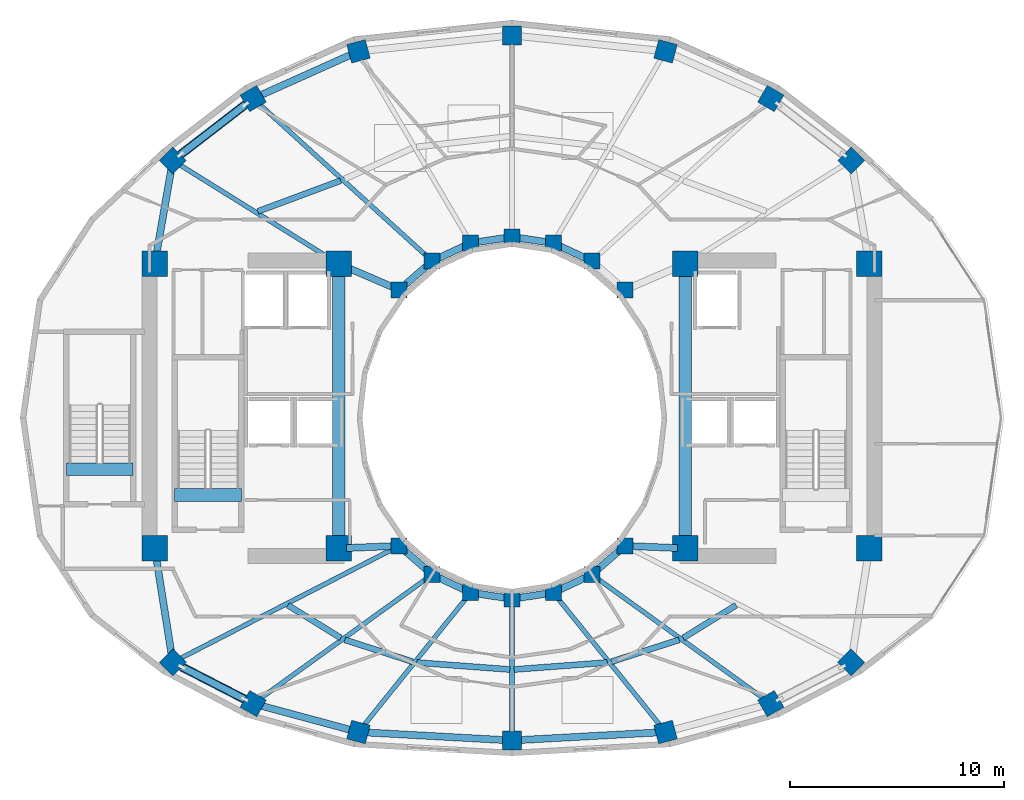
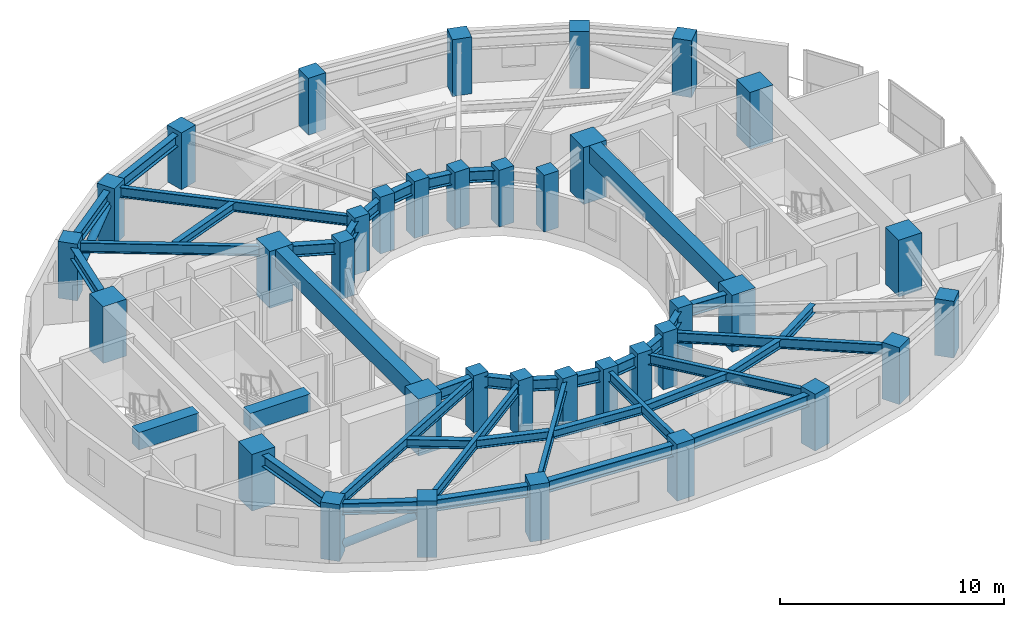
# One storey, part 1 of 13: 41 beams, 36 columns, 2 members.
"""IFC4 building model written with IfcOpenShell, lengths in metres."""

from ifc_helpers import new_model, si_unit, direction, frame, origin, origin_2d, place, context, subcontext, project, spatial, rectangle, hollow_circle, i_section, extrude, material, material_profile, profile_set, type_object, element, save


model = new_model("IFC4")

# Units and contexts
model_context = context("Model", 3, precision=1e-05, world=origin(), true_north=direction((0.0, 1.0)))
body_context = subcontext(model_context, "Body", "Model", "MODEL_VIEW")
ifc_project = project(units=[si_unit("LENGTHUNIT", "METRE"), si_unit("AREAUNIT", "SQUARE_METRE"), si_unit("VOLUMEUNIT", "CUBIC_METRE"), si_unit("PLANEANGLEUNIT", "RADIAN"), si_unit("MASSUNIT", "GRAM", prefix="KILO")], contexts=[model_context])

# Site, building, storey
site_placement = place(None, origin())
site = spatial("IfcSite", under=ifc_project, at=site_placement, CompositionType="ELEMENT")
building_placement = place(site_placement, origin())
building = spatial("IfcBuilding", under=site, at=building_placement, Name="Solvane Sanctuary Tower", CompositionType="ELEMENT")
storey_placement = place(building_placement, frame((0.0, 0.0, 152.89990234375)))
storey = spatial("IfcBuildingStorey", under=building, at=storey_placement, Name="L46", CompositionType="ELEMENT", Elevation=152.89990234375)

# Columns
ifc_material_1 = material(Name="Concrete C50/60", Category="concrete")
ifc_material_profile_1 = material_profile(ifc_material_1, rectangle(XDim=0.75, YDim=0.75, at=origin_2d()), Name="RC750X750")
ifc_profile_set_1 = profile_set([ifc_material_profile_1], Name="Concrete C50/60")
column_type_1 = type_object("IfcColumnType", Name="Column C-RING-Z3 RC750X750", PredefinedType="COLUMN", material=ifc_profile_set_1)
for number, where, z_axis, x_axis, name in (
    (1, (37.27490234375, 28.982177734375, 0.0), (0.0, 0.0, 1.0), (1.0, 0.0, 0.0), "L46 Inner Light-Well Ring Column IC01"),
    (2, (35.72998046875, 30.32666015625, 0.0), (0.0, 0.0, 1.0), (1.0, 0.0, 0.0), "L46 Inner Light-Well Ring Column IC02"),
    (3, (33.930908203125, 31.171630859375, 0.0), (0.0, 0.0, 1.0), (1.0, 0.0, 0.0), "L46 Inner Light-Well Ring Column IC03"),
    (4, (32.0, 31.4599609375, 0.0), (0.0, 0.0, 1.0), (1.0, 0.0, 0.0), "L46 Inner Light-Well Ring Column IC04"),
    (5, (30.069091796875, 31.171630859375, 0.0), (0.0, 0.0, 1.0), (1.0, 0.0, 0.0), "L46 Inner Light-Well Ring Column IC05"),
    (6, (28.27001953125, 30.32666015625, 0.0), (0.0, 0.0, 1.0), (1.0, 0.0, 0.0), "L46 Inner Light-Well Ring Column IC06"),
    (7, (26.72509765625, 28.982177734375, 0.0), (0.0, 0.0, 1.0), (1.0, 0.0, 0.0), "L46 Inner Light-Well Ring Column IC07"),
    (8, (26.72509765625, 17.017822265625, 0.0), (0.0, 0.0, 1.0), (1.0, 0.0, 0.0), "L46 Inner Light-Well Ring Column IC08"),
    (9, (28.27001953125, 15.67333984375, 0.0), (0.0, 0.0, 1.0), (1.0, 0.0, 0.0), "L46 Inner Light-Well Ring Column IC09"),
    (10, (30.069091796875, 14.828369140625, 0.0), (0.0, 0.0, 1.0), (1.0, 0.0, 0.0), "L46 Inner Light-Well Ring Column IC10"),
    (11, (32.0, 14.5400390625, 0.0), (0.0, 0.0, 1.0), (1.0, 0.0, 0.0), "L46 Inner Light-Well Ring Column IC11"),
    (12, (33.930908203125, 14.828369140625, 0.0), (0.0, 0.0, 1.0), (1.0, 0.0, 0.0), "L46 Inner Light-Well Ring Column IC12"),
    (13, (35.72998046875, 15.67333984375, 0.0), (0.0, 0.0, 1.0), (1.0, 0.0, 0.0), "L46 Inner Light-Well Ring Column IC13"),
    (14, (37.27490234375, 17.017822265625, 0.0), (0.0, 0.0, 1.0), (1.0, 0.0, 0.0), "L46 Inner Light-Well Ring Column IC14"),
):
    element("IfcColumn", number, at=place(storey_placement, frame(where, z_axis=z_axis, x_axis=x_axis)), inside=storey, type_object=column_type_1, Name=name, PredefinedType="COLUMN", context=body_context, shape_type="SweptSolid", body=[
        extrude(rectangle(XDim=0.75, YDim=0.75, at=origin_2d()), origin(), (0.0, 0.0, 1.0), 3.10009765625),
    ])
ifc_material_2 = material(Name="Concrete C70/85", Category="concrete")
ifc_material_profile_2 = material_profile(ifc_material_2, rectangle(XDim=1.199951171875, YDim=1.199951171875, at=origin_2d()), Name="RC1200X1200")
ifc_profile_set_2 = profile_set([ifc_material_profile_2], Name="Concrete C70/85")
column_type_2 = type_object("IfcColumnType", Name="Column C-TUBE-Z1 RC1200X1200", PredefinedType="COLUMN", material=ifc_profile_set_2)
for number, where, z_axis, x_axis, name in (
    (15, (15.300048828125, 16.89990234375, 0.0), (0.0, 0.0, 1.0), (1.0, 0.0, 0.0), "L46 Core Corner Column CW1"),
    (16, (23.89990234375, 16.89990234375, 0.0), (0.0, 0.0, 1.0), (1.0, 0.0, 0.0), "L46 Core Corner Column CW2"),
    (17, (23.89990234375, 30.199951171875, 0.0), (0.0, 0.0, 1.0), (1.0, 0.0, 0.0), "L46 Core Corner Column CW3"),
    (18, (15.300048828125, 30.199951171875, 0.0), (0.0, 0.0, 1.0), (1.0, 0.0, 0.0), "L46 Core Corner Column CW4"),
    (19, (40.10009765625, 16.89990234375, 0.0), (0.0, 0.0, 1.0), (1.0, 0.0, 0.0), "L46 Core Corner Column CE1"),
    (20, (48.699951171875, 16.89990234375, 0.0), (0.0, 0.0, 1.0), (1.0, 0.0, 0.0), "L46 Core Corner Column CE2"),
    (21, (48.699951171875, 30.199951171875, 0.0), (0.0, 0.0, 1.0), (1.0, 0.0, 0.0), "L46 Core Corner Column CE3"),
    (22, (40.10009765625, 30.199951171875, 0.0), (0.0, 0.0, 1.0), (1.0, 0.0, 0.0), "L46 Core Corner Column CE4"),
):
    element("IfcColumn", number, at=place(storey_placement, frame(where, z_axis=z_axis, x_axis=x_axis)), inside=storey, type_object=column_type_2, Name=name, PredefinedType="COLUMN", context=body_context, shape_type="SweptSolid", body=[
        extrude(rectangle(XDim=1.199951171875, YDim=1.199951171875, at=origin_2d()), origin(), (0.0, 0.0, 1.0), 3.10009765625),
    ])
ifc_material_3 = material(Name="Concrete C60/75", Category="concrete")
ifc_material_profile_3 = material_profile(ifc_material_3, rectangle(XDim=0.89990234375, YDim=0.89990234375, at=origin_2d()), Name="RC900X900")
ifc_profile_set_3 = profile_set([ifc_material_profile_3], Name="Concrete C60/75")
column_type_3 = type_object("IfcColumnType", Name="Column C-TUBE-Z3 RC900X900", PredefinedType="COLUMN", material=ifc_profile_set_3)
for number, where, z_axis, x_axis, name in (
    (23, (47.856689453125, 35.031005859375, 0.0), (0.0, 0.0, 1.0), (0.707106781187, 0.707106781187, 0.0), "L46 Perimeter Tube Column TC01"),
    (24, (44.09814453125, 37.927978515625, 0.0), (0.0, 0.0, 1.0), (0.5, 0.866025403784, 0.0), "L46 Perimeter Tube Column TC02"),
    (25, (39.17822265625, 40.134521484375, 0.0), (0.0, 0.0, 1.0), (0.258819045103, 0.965925826289, 0.0), "L46 Perimeter Tube Column TC03"),
    (26, (32.0, 40.8798828125, 0.0), (0.0, 0.0, 1.0), (0.0, 1.0, 0.0), "L46 Perimeter Tube Column TC04"),
    (27, (24.82177734375, 40.134521484375, 0.0), (0.0, 0.0, 1.0), (-0.258819045103, 0.965925826289, 0.0), "L46 Perimeter Tube Column TC05"),
    (28, (19.90185546875, 37.927978515625, 0.0), (0.0, 0.0, 1.0), (-0.5, 0.866025403784, 0.0), "L46 Perimeter Tube Column TC06"),
    (29, (16.143310546875, 35.031005859375, 0.0), (0.0, 0.0, 1.0), (-0.707106781187, 0.707106781187, 0.0), "L46 Perimeter Tube Column TC07"),
    (30, (16.143310546875, 11.573486328125, 0.0), (0.0, 0.0, 1.0), (-0.707106781187, -0.707106781187, 0.0), "L46 Perimeter Tube Column TC08"),
    (31, (19.90185546875, 9.640625, 0.0), (0.0, 0.0, 1.0), (-0.5, -0.866025403784, 0.0), "L46 Perimeter Tube Column TC09"),
    (32, (24.82177734375, 8.313232421875, 0.0), (0.0, 0.0, 1.0), (-0.258819045103, -0.965925826289, 0.0), "L46 Perimeter Tube Column TC10"),
    (33, (32.0, 7.919921875, 0.0), (0.0, 0.0, 1.0), (0.0, -1.0, 0.0), "L46 Perimeter Tube Column TC11"),
    (34, (39.17822265625, 8.313232421875, 0.0), (0.0, 0.0, 1.0), (0.258819045103, -0.965925826289, 0.0), "L46 Perimeter Tube Column TC12"),
    (35, (44.09814453125, 9.640625, 0.0), (0.0, 0.0, 1.0), (0.5, -0.866025403784, 0.0), "L46 Perimeter Tube Column TC13"),
    (36, (47.856689453125, 11.573486328125, 0.0), (0.0, 0.0, 1.0), (0.707106781187, -0.707106781187, 0.0), "L46 Perimeter Tube Column TC14"),
):
    element("IfcColumn", number, at=place(storey_placement, frame(where, z_axis=z_axis, x_axis=x_axis)), inside=storey, type_object=column_type_3, Name=name, PredefinedType="COLUMN", context=body_context, shape_type="SweptSolid", body=[
        extrude(rectangle(XDim=0.89990234375, YDim=0.89990234375, at=origin_2d()), origin(), (0.0, 0.0, 1.0), 3.10009765625),
    ])

# Beams
ifc_material_profile_4 = material_profile(ifc_material_2, rectangle(XDim=0.60009765625, YDim=0.949951171875, at=origin_2d()), Name="RC600X950")
ifc_profile_set_4 = profile_set([ifc_material_profile_4], Name="Concrete C70/85")
beam_type_1 = type_object("IfcBeamType", Name="Beam B-COUPLE RC600X950", PredefinedType="LINTEL", material=ifc_profile_set_4)
for number, where, z_axis, x_axis, name in (
    (37, (23.89990234375, 17.35009765625, 2.625), (0.0, 1.0, 0.0), (-1.0, 0.0, 0.0), "L46 West Core Coupling Lintel"),
    (38, (40.10009765625, 17.35009765625, 2.625), (0.0, 1.0, 0.0), (-1.0, 0.0, 0.0), "L46 East Core Coupling Lintel"),
):
    element("IfcBeam", number, at=place(storey_placement, frame(where, z_axis=z_axis, x_axis=x_axis)), inside=storey, type_object=beam_type_1, Name=name, PredefinedType="LINTEL", context=body_context, shape_type="SweptSolid", body=[
        extrude(rectangle(XDim=0.60009765625, YDim=0.949951171875, at=origin_2d()), origin(), (0.0, 0.0, 1.0), 12.39990234375),
    ])
for number, where, z_axis, x_axis, name in (
    (39, (16.22998046875, 19.399169921875, 2.625), (1.0, 0.0, 0.0), (0.0, 1.0, 0.0), "L46 ST-1 Stair Floor Landing Trimmer"),
    (40, (11.169921875, 20.59912109375, 2.625), (1.0, 0.0, 0.0), (0.0, 1.0, 0.0), "L46 ST-3 Stair Floor Landing Trimmer"),
):
    element("IfcBeam", number, at=place(storey_placement, frame(where, z_axis=z_axis, x_axis=x_axis)), inside=storey, type_object=beam_type_1, Name=name, PredefinedType="LINTEL", context=body_context, shape_type="SweptSolid", body=[
        extrude(rectangle(XDim=0.60009765625, YDim=0.949951171875, at=origin_2d()), origin(), (0.0, 0.0, 1.0), 3.1201171875),
    ])
ifc_material_4 = material(Name="Steel ASTM A992 Grade 50", Category="steel")
ifc_material_profile_5 = material_profile(ifc_material_4, i_section(OverallWidth=0.214111328125, OverallDepth=0.549072265625, WebThickness=0.0146484375, FlangeThickness=0.023681640625, FilletRadius=0.014892578125, at=origin_2d()), Name="W21X93")
ifc_profile_set_5 = profile_set([ifc_material_profile_5], Name="Steel ASTM A992 Grade 50")
beam_type_2 = type_object("IfcBeamType", Name="Beam B-RAD-Z3 W21X93", PredefinedType="JOIST", material=ifc_profile_set_5)
beam_1_placement = place(storey_placement, frame((28.062744140625, 30.514892578125, 2.603515625), z_axis=(-0.74020423772, 0.672382098558, 0.0), x_axis=(-0.672382098558, -0.74020423772, 0.0)))
element("IfcBeam", 41, at=beam_1_placement, inside=storey, type_object=beam_type_2, Name="L46 Radial Composite Floor Beam 06", PredefinedType="JOIST", context=body_context, shape_type="SweptSolid", body=[
    extrude(i_section(OverallWidth=0.214111328125, OverallDepth=0.549072265625, WebThickness=0.0146484375, FlangeThickness=0.023681640625, FilletRadius=0.014892578125, at=origin_2d()), origin(), (0.0, 0.0, 1.0), 10.7451171875),
])
beam_2_placement = place(storey_placement, frame((23.594482421875, 30.390380859375, 2.603515625), z_axis=(-0.84882685523, 0.528670946658, 0.0), x_axis=(-0.528670946658, -0.84882685523, 0.0)))
element("IfcBeam", 42, at=beam_2_placement, inside=storey, type_object=beam_type_2, Name="L46 Radial Composite Floor Beam 07", PredefinedType="JOIST", context=body_context, shape_type="SweptSolid", body=[
    extrude(i_section(OverallWidth=0.214111328125, OverallDepth=0.549072265625, WebThickness=0.0146484375, FlangeThickness=0.023681640625, FilletRadius=0.014892578125, at=origin_2d()), origin(), (0.0, 0.0, 1.0), 8.498046875),
])
beam_3_placement = place(storey_placement, frame((26.47607421875, 16.889892578125, 2.603515625), z_axis=(-0.889204980299, -0.457509019595, 0.0), x_axis=(0.457509019595, -0.889204980299, 0.0)))
element("IfcBeam", 43, at=beam_3_placement, inside=storey, type_object=beam_type_2, Name="L46 Radial Composite Floor Beam 08", PredefinedType="JOIST", context=body_context, shape_type="SweptSolid", body=[
    extrude(i_section(OverallWidth=0.214111328125, OverallDepth=0.549072265625, WebThickness=0.0146484375, FlangeThickness=0.023681640625, FilletRadius=0.014892578125, at=origin_2d()), origin(), (0.0, 0.0, 1.0), 11.340087890625),
])
beam_4_placement = place(storey_placement, frame((28.04296875, 15.509765625, 2.603515625), z_axis=(-0.811184384633, -0.584790470277, 0.0), x_axis=(0.584790470277, -0.811184384633, 0.0)))
element("IfcBeam", 44, at=beam_4_placement, inside=storey, type_object=beam_type_2, Name="L46 Radial Composite Floor Beam 09", PredefinedType="JOIST", context=body_context, shape_type="SweptSolid", body=[
    extrude(i_section(OverallWidth=0.214111328125, OverallDepth=0.549072265625, WebThickness=0.0146484375, FlangeThickness=0.023681640625, FilletRadius=0.014892578125, at=origin_2d()), origin(), (0.0, 0.0, 1.0), 9.756103515625),
])
beam_5_placement = place(storey_placement, frame((29.8935546875, 14.610107421875, 2.603515625), z_axis=(-0.627296867999, -0.778780225352, 0.0), x_axis=(0.778780225352, -0.627296867999, 0.0)))
element("IfcBeam", 45, at=beam_5_placement, inside=storey, type_object=beam_type_2, Name="L46 Radial Composite Floor Beam 10", PredefinedType="JOIST", context=body_context, shape_type="SweptSolid", body=[
    extrude(i_section(OverallWidth=0.214111328125, OverallDepth=0.549072265625, WebThickness=0.0146484375, FlangeThickness=0.023681640625, FilletRadius=0.014892578125, at=origin_2d()), origin(), (0.0, 0.0, 1.0), 7.805419921875),
])
beam_6_placement = place(storey_placement, frame((32.0, 14.260009765625, 2.603515625), z_axis=(0.0, -1.0, 0.0), x_axis=(1.0, 0.0, 0.0)))
element("IfcBeam", 46, at=beam_6_placement, inside=storey, type_object=beam_type_2, Name="L46 Radial Composite Floor Beam 11", PredefinedType="JOIST", context=body_context, shape_type="SweptSolid", body=[
    extrude(i_section(OverallWidth=0.214111328125, OverallDepth=0.549072265625, WebThickness=0.0146484375, FlangeThickness=0.023681640625, FilletRadius=0.014892578125, at=origin_2d()), origin(), (0.0, 0.0, 1.0), 6.06005859375),
])
beam_7_placement = place(storey_placement, frame((34.1064453125, 14.610107421875, 2.603515625), z_axis=(0.627296867999, -0.778780225352, 0.0), x_axis=(0.778780225352, 0.627296867999, 0.0)))
element("IfcBeam", 47, at=beam_7_placement, inside=storey, type_object=beam_type_2, Name="L46 Radial Composite Floor Beam 12", PredefinedType="JOIST", context=body_context, shape_type="SweptSolid", body=[
    extrude(i_section(OverallWidth=0.214111328125, OverallDepth=0.549072265625, WebThickness=0.0146484375, FlangeThickness=0.023681640625, FilletRadius=0.014892578125, at=origin_2d()), origin(), (0.0, 0.0, 1.0), 7.805419921875),
])
beam_8_placement = place(storey_placement, frame((35.95703125, 15.509765625, 2.603515625), z_axis=(0.811184384633, -0.584790470277, 0.0), x_axis=(0.584790470277, 0.811184384633, 0.0)))
element("IfcBeam", 48, at=beam_8_placement, inside=storey, type_object=beam_type_2, Name="L46 Radial Composite Floor Beam 13", PredefinedType="JOIST", context=body_context, shape_type="SweptSolid", body=[
    extrude(i_section(OverallWidth=0.214111328125, OverallDepth=0.549072265625, WebThickness=0.0146484375, FlangeThickness=0.023681640625, FilletRadius=0.014892578125, at=origin_2d()), origin(), (0.0, 0.0, 1.0), 9.756103515625),
])
ifc_material_profile_6 = material_profile(ifc_material_4, i_section(OverallWidth=0.324951171875, OverallDepth=0.615966796875, WebThickness=0.013916015625, FlangeThickness=0.021484375, FilletRadius=0.01611328125, at=origin_2d()), Name="W24X117")
ifc_profile_set_6 = profile_set([ifc_material_profile_6], Name="Steel ASTM A992 Grade 50")
beam_type_3 = type_object("IfcBeamType", Name="Beam B-RING-IN2 W24X117", PredefinedType="BEAM", material=ifc_profile_set_6)
beam_9_placement = place(storey_placement, frame((24.230712890625, 30.0576171875, 2.570068359375), z_axis=(0.918264067649, -0.395968561966, 0.0), x_axis=(0.395968561966, 0.918264067649, 0.0)))
element("IfcBeam", 49, at=beam_9_placement, inside=storey, type_object=beam_type_3, Name="L46 Inner Light-Well Ring Beam CW3-IC07", PredefinedType="BEAM", context=body_context, shape_type="SweptSolid", body=[
    extrude(i_section(OverallWidth=0.324951171875, OverallDepth=0.615966796875, WebThickness=0.013916015625, FlangeThickness=0.021484375, FilletRadius=0.01611328125, at=origin_2d()), origin(), (0.0, 0.0, 1.0), 2.371337890625),
])
beam_10_placement = place(storey_placement, frame((26.9853515625, 29.20849609375, 2.570068359375), z_axis=(0.754311313851, 0.656516901379, 0.0), x_axis=(-0.656516901379, 0.754311313851, 0.0)))
element("IfcBeam", 50, at=beam_10_placement, inside=storey, type_object=beam_type_3, Name="L46 Inner Light-Well Ring Beam IC07-IC06", PredefinedType="BEAM", context=body_context, shape_type="SweptSolid", body=[
    extrude(i_section(OverallWidth=0.324951171875, OverallDepth=0.615966796875, WebThickness=0.013916015625, FlangeThickness=0.021484375, FilletRadius=0.01611328125, at=origin_2d()), origin(), (0.0, 0.0, 1.0), 1.358154296875),
])
beam_11_placement = place(storey_placement, frame((28.582275390625, 30.473388671875, 2.570068359375), z_axis=(0.9051808128, 0.425026700502, 0.0), x_axis=(-0.425026700502, 0.9051808128, 0.0)))
element("IfcBeam", 51, at=beam_11_placement, inside=storey, type_object=beam_type_3, Name="L46 Inner Light-Well Ring Beam IC06-IC05", PredefinedType="BEAM", context=body_context, shape_type="SweptSolid", body=[
    extrude(i_section(OverallWidth=0.324951171875, OverallDepth=0.615966796875, WebThickness=0.013916015625, FlangeThickness=0.021484375, FilletRadius=0.01611328125, at=origin_2d()), origin(), (0.0, 0.0, 1.0), 1.297607421875),
])
for number, where, z_axis, x_axis, name in (
    (52, (30.410400390625, 31.22265625, 2.570068359375), (0.989019905763, 0.147782360259, 0.0), (-0.147782360259, 0.989019905763, 0.0), "L46 Inner Light-Well Ring Beam IC05-IC04"),
    (53, (32.34130859375, 31.4091796875, 2.570068359375), (0.989019905763, -0.147782360259, 0.0), (0.147782360259, 0.989019905763, 0.0), "L46 Inner Light-Well Ring Beam IC04-IC03"),
):
    element("IfcBeam", number, at=place(storey_placement, frame(where, z_axis=z_axis, x_axis=x_axis)), inside=storey, type_object=beam_type_3, Name=name, PredefinedType="BEAM", context=body_context, shape_type="SweptSolid", body=[
        extrude(i_section(OverallWidth=0.324951171875, OverallDepth=0.615966796875, WebThickness=0.013916015625, FlangeThickness=0.021484375, FilletRadius=0.01611328125, at=origin_2d()), origin(), (0.0, 0.0, 1.0), 1.26220703125),
    ])
beam_12_placement = place(storey_placement, frame((34.2431640625, 31.02490234375, 2.570068359375), z_axis=(0.9051808128, -0.425026700502, 0.0), x_axis=(0.425026700502, 0.9051808128, 0.0)))
element("IfcBeam", 54, at=beam_12_placement, inside=storey, type_object=beam_type_3, Name="L46 Inner Light-Well Ring Beam IC03-IC02", PredefinedType="BEAM", context=body_context, shape_type="SweptSolid", body=[
    extrude(i_section(OverallWidth=0.324951171875, OverallDepth=0.615966796875, WebThickness=0.013916015625, FlangeThickness=0.021484375, FilletRadius=0.01611328125, at=origin_2d()), origin(), (0.0, 0.0, 1.0), 1.297607421875),
])
beam_13_placement = place(storey_placement, frame((24.259765625, 16.9150390625, 2.570068359375), z_axis=(0.999132674336, 0.041640113759, 0.0), x_axis=(-0.041640113759, 0.999132674336, 0.0)))
element("IfcBeam", 55, at=beam_13_placement, inside=storey, type_object=beam_type_3, Name="L46 Inner Light-Well Ring Beam CW2-IC08", PredefinedType="BEAM", context=body_context, shape_type="SweptSolid", body=[
    extrude(i_section(OverallWidth=0.324951171875, OverallDepth=0.615966796875, WebThickness=0.013916015625, FlangeThickness=0.021484375, FilletRadius=0.01611328125, at=origin_2d()), origin(), (0.0, 0.0, 1.0), 2.12255859375),
])
beam_14_placement = place(storey_placement, frame((26.9853515625, 16.79150390625, 2.570068359375), z_axis=(0.754311313851, -0.656516901379, 0.0), x_axis=(0.656516901379, 0.754311313851, 0.0)))
element("IfcBeam", 56, at=beam_14_placement, inside=storey, type_object=beam_type_3, Name="L46 Inner Light-Well Ring Beam IC08-IC09", PredefinedType="BEAM", context=body_context, shape_type="SweptSolid", body=[
    extrude(i_section(OverallWidth=0.324951171875, OverallDepth=0.615966796875, WebThickness=0.013916015625, FlangeThickness=0.021484375, FilletRadius=0.01611328125, at=origin_2d()), origin(), (0.0, 0.0, 1.0), 1.358154296875),
])
beam_15_placement = place(storey_placement, frame((28.582275390625, 15.526611328125, 2.570068359375), z_axis=(0.9051808128, -0.425026700502, 0.0), x_axis=(0.425026700502, 0.9051808128, 0.0)))
element("IfcBeam", 57, at=beam_15_placement, inside=storey, type_object=beam_type_3, Name="L46 Inner Light-Well Ring Beam IC09-IC10", PredefinedType="BEAM", context=body_context, shape_type="SweptSolid", body=[
    extrude(i_section(OverallWidth=0.324951171875, OverallDepth=0.615966796875, WebThickness=0.013916015625, FlangeThickness=0.021484375, FilletRadius=0.01611328125, at=origin_2d()), origin(), (0.0, 0.0, 1.0), 1.297607421875),
])
for number, where, z_axis, x_axis, name in (
    (58, (30.410400390625, 14.77734375, 2.570068359375), (0.989019905763, -0.147782360259, 0.0), (0.147782360259, 0.989019905763, 0.0), "L46 Inner Light-Well Ring Beam IC10-IC11"),
    (59, (32.34130859375, 14.5908203125, 2.570068359375), (0.989019905763, 0.147782360259, 0.0), (-0.147782360259, 0.989019905763, 0.0), "L46 Inner Light-Well Ring Beam IC11-IC12"),
):
    element("IfcBeam", number, at=place(storey_placement, frame(where, z_axis=z_axis, x_axis=x_axis)), inside=storey, type_object=beam_type_3, Name=name, PredefinedType="BEAM", context=body_context, shape_type="SweptSolid", body=[
        extrude(i_section(OverallWidth=0.324951171875, OverallDepth=0.615966796875, WebThickness=0.013916015625, FlangeThickness=0.021484375, FilletRadius=0.01611328125, at=origin_2d()), origin(), (0.0, 0.0, 1.0), 1.26220703125),
    ])
beam_16_placement = place(storey_placement, frame((34.2431640625, 14.97509765625, 2.570068359375), z_axis=(0.9051808128, 0.425026700502, 0.0), x_axis=(-0.425026700502, 0.9051808128, 0.0)))
element("IfcBeam", 60, at=beam_16_placement, inside=storey, type_object=beam_type_3, Name="L46 Inner Light-Well Ring Beam IC12-IC13", PredefinedType="BEAM", context=body_context, shape_type="SweptSolid", body=[
    extrude(i_section(OverallWidth=0.324951171875, OverallDepth=0.615966796875, WebThickness=0.013916015625, FlangeThickness=0.021484375, FilletRadius=0.01611328125, at=origin_2d()), origin(), (0.0, 0.0, 1.0), 1.297607421875),
])
beam_17_placement = place(storey_placement, frame((35.990234375, 15.89990234375, 2.570068359375), z_axis=(0.754311313851, 0.656516901379, 0.0), x_axis=(-0.656516901379, 0.754311313851, 0.0)))
element("IfcBeam", 61, at=beam_17_placement, inside=storey, type_object=beam_type_3, Name="L46 Inner Light-Well Ring Beam IC13-IC14", PredefinedType="BEAM", context=body_context, shape_type="SweptSolid", body=[
    extrude(i_section(OverallWidth=0.324951171875, OverallDepth=0.615966796875, WebThickness=0.013916015625, FlangeThickness=0.021484375, FilletRadius=0.01611328125, at=origin_2d()), origin(), (0.0, 0.0, 1.0), 1.358154296875),
])
beam_18_placement = place(storey_placement, frame((37.61962890625, 17.00341796875, 2.570068359375), z_axis=(0.999132674336, -0.041640113759, 0.0), x_axis=(0.041640113759, 0.999132674336, 0.0)))
element("IfcBeam", 62, at=beam_18_placement, inside=storey, type_object=beam_type_3, Name="L46 Inner Light-Well Ring Beam IC14-CE1", PredefinedType="BEAM", context=body_context, shape_type="SweptSolid", body=[
    extrude(i_section(OverallWidth=0.324951171875, OverallDepth=0.615966796875, WebThickness=0.013916015625, FlangeThickness=0.021484375, FilletRadius=0.01611328125, at=origin_2d()), origin(), (0.0, 0.0, 1.0), 2.12255859375),
])
ifc_material_profile_7 = material_profile(ifc_material_4, i_section(OverallWidth=0.280029296875, OverallDepth=0.462890625, WebThickness=0.0107421875, FlangeThickness=0.017333984375, FilletRadius=0.013916015625, at=origin_2d()), Name="W18X76")
ifc_profile_set_7 = profile_set([ifc_material_profile_7], Name="Steel ASTM A992 Grade 50")
beam_type_4 = type_object("IfcBeamType", Name="Beam B-SEC-JOIST W18X76", PredefinedType="JOIST", material=ifc_profile_set_7)
beam_19_placement = place(storey_placement, frame((20.1171875, 32.651123046875, 2.646484375), z_axis=(0.937265401165, 0.348616648741, 0.0), x_axis=(-0.348616648741, 0.937265401165, 0.0)))
element("IfcBeam", 63, at=beam_19_placement, inside=storey, type_object=beam_type_4, Name="L46 Secondary Circumferential Joist 07-06", PredefinedType="JOIST", context=body_context, shape_type="SweptSolid", body=[
    extrude(i_section(OverallWidth=0.280029296875, OverallDepth=0.462890625, WebThickness=0.0107421875, FlangeThickness=0.017333984375, FilletRadius=0.013916015625, at=origin_2d()), origin(), (0.0, 0.0, 1.0), 4.132568359375),
])
beam_20_placement = place(storey_placement, frame((21.52099609375, 14.2421875, 2.646484375), z_axis=(0.850675655701, -0.525690906139, 0.0), x_axis=(0.525690906139, 0.850675655701, 0.0)))
element("IfcBeam", 64, at=beam_20_placement, inside=storey, type_object=beam_type_4, Name="L46 Secondary Circumferential Joist 08-09", PredefinedType="JOIST", context=body_context, shape_type="SweptSolid", body=[
    extrude(i_section(OverallWidth=0.280029296875, OverallDepth=0.462890625, WebThickness=0.0107421875, FlangeThickness=0.017333984375, FilletRadius=0.013916015625, at=origin_2d()), origin(), (0.0, 0.0, 1.0), 2.913330078125),
])
beam_21_placement = place(storey_placement, frame((24.18310546875, 12.625732421875, 2.646484375), z_axis=(0.951499502658, -0.307650282695, 0.0), x_axis=(0.307650282695, 0.951499502658, 0.0)))
element("IfcBeam", 65, at=beam_21_placement, inside=storey, type_object=beam_type_4, Name="L46 Secondary Circumferential Joist 09-10", PredefinedType="JOIST", context=body_context, shape_type="SweptSolid", body=[
    extrude(i_section(OverallWidth=0.280029296875, OverallDepth=0.462890625, WebThickness=0.0107421875, FlangeThickness=0.017333984375, FilletRadius=0.013916015625, at=origin_2d()), origin(), (0.0, 0.0, 1.0), 3.32666015625),
])
for number, where, z_axis, x_axis, name in (
    (66, (27.547119140625, 11.563232421875, 2.646484375), (0.99721035762, -0.074642498994, 0.0), (0.074642498994, 0.99721035762, 0.0), "L46 Secondary Circumferential Joist 10-11"),
    (67, (32.101806640625, 11.237548828125, 2.646484375), (0.99721035762, 0.074642498994, 0.0), (-0.074642498994, 0.99721035762, 0.0), "L46 Secondary Circumferential Joist 11-12"),
):
    element("IfcBeam", number, at=place(storey_placement, frame(where, z_axis=z_axis, x_axis=x_axis)), inside=storey, type_object=beam_type_4, Name=name, PredefinedType="JOIST", context=body_context, shape_type="SweptSolid", body=[
        extrude(i_section(OverallWidth=0.280029296875, OverallDepth=0.462890625, WebThickness=0.0107421875, FlangeThickness=0.017333984375, FilletRadius=0.013916015625, at=origin_2d()), origin(), (0.0, 0.0, 1.0), 4.36328125),
    ])
beam_22_placement = place(storey_placement, frame((36.651611328125, 11.602294921875, 2.646484375), z_axis=(0.951499502658, 0.307650282695, 0.0), x_axis=(-0.307650282695, 0.951499502658, 0.0)))
element("IfcBeam", 68, at=beam_22_placement, inside=storey, type_object=beam_type_4, Name="L46 Secondary Circumferential Joist 12-13", PredefinedType="JOIST", context=body_context, shape_type="SweptSolid", body=[
    extrude(i_section(OverallWidth=0.280029296875, OverallDepth=0.462890625, WebThickness=0.0107421875, FlangeThickness=0.017333984375, FilletRadius=0.013916015625, at=origin_2d()), origin(), (0.0, 0.0, 1.0), 3.32666015625),
])
beam_23_placement = place(storey_placement, frame((40.0009765625, 12.710693359375, 2.646484375), z_axis=(0.850652494422, 0.525728383991, 0.0), x_axis=(-0.525728383991, 0.850652494422, 0.0)))
element("IfcBeam", 69, at=beam_23_placement, inside=storey, type_object=beam_type_4, Name="L46 Secondary Circumferential Joist 13-14", PredefinedType="JOIST", context=body_context, shape_type="SweptSolid", body=[
    extrude(i_section(OverallWidth=0.280029296875, OverallDepth=0.462890625, WebThickness=0.0107421875, FlangeThickness=0.017333984375, FilletRadius=0.013916015625, at=origin_2d()), origin(), (0.0, 0.0, 1.0), 2.9130859375),
])
ifc_material_profile_8 = material_profile(ifc_material_4, i_section(OverallWidth=0.327880859375, OverallDepth=0.6279296875, WebThickness=0.0166015625, FlangeThickness=0.027587890625, FilletRadius=0.01611328125, at=origin_2d()), Name="W24X146")
ifc_profile_set_8 = profile_set([ifc_material_profile_8], Name="Steel ASTM A992 Grade 50")
beam_type_5 = type_object("IfcBeamType", Name="Beam B-SPAND-Z3 W24X146", PredefinedType="SPANDREL", material=ifc_profile_set_8)
beam_24_placement = place(storey_placement, frame((15.34814453125, 30.475830078125, 2.564208984375), z_axis=(0.171967263087, 0.985102664917, 0.0), x_axis=(-0.985102664917, 0.171967263087, 0.0)))
element("IfcBeam", 70, at=beam_24_placement, inside=storey, type_object=beam_type_5, Name="L46 Perimeter Spandrel Beam CW4-TC07", PredefinedType="SPANDREL", context=body_context, shape_type="SweptSolid", body=[
    extrude(i_section(OverallWidth=0.327880859375, OverallDepth=0.6279296875, WebThickness=0.0166015625, FlangeThickness=0.027587890625, FilletRadius=0.01611328125, at=origin_2d()), origin(), (0.0, 0.0, 1.0), 4.34423828125),
])
beam_25_placement = place(storey_placement, frame((16.365234375, 35.201904296875, 2.564208984375), z_axis=(0.792020773873, 0.610494139001, 0.0), x_axis=(-0.610494139001, 0.792020773873, 0.0)))
element("IfcBeam", 71, at=beam_25_placement, inside=storey, type_object=beam_type_5, Name="L46 Perimeter Spandrel Beam TC07-TC06", PredefinedType="SPANDREL", context=body_context, shape_type="SweptSolid", body=[
    extrude(i_section(OverallWidth=0.327880859375, OverallDepth=0.6279296875, WebThickness=0.0166015625, FlangeThickness=0.027587890625, FilletRadius=0.01611328125, at=origin_2d()), origin(), (0.0, 0.0, 1.0), 4.185302734375),
])
beam_26_placement = place(storey_placement, frame((20.157470703125, 38.04248046875, 2.564208984375), z_axis=(0.912414349424, 0.409267705744, 0.0), x_axis=(-0.409267705744, 0.912414349424, 0.0)))
element("IfcBeam", 72, at=beam_26_placement, inside=storey, type_object=beam_type_5, Name="L46 Perimeter Spandrel Beam TC06-TC05", PredefinedType="SPANDREL", context=body_context, shape_type="SweptSolid", body=[
    extrude(i_section(OverallWidth=0.327880859375, OverallDepth=0.6279296875, WebThickness=0.0166015625, FlangeThickness=0.027587890625, FilletRadius=0.01611328125, at=origin_2d()), origin(), (0.0, 0.0, 1.0), 4.831787109375),
])
beam_27_placement = place(storey_placement, frame((15.34375, 16.623291015625, 2.564208984375), z_axis=(0.156406167317, -0.987692822099, 0.0), x_axis=(0.987692822099, 0.156406167317, 0.0)))
element("IfcBeam", 73, at=beam_27_placement, inside=storey, type_object=beam_type_5, Name="L46 Perimeter Spandrel Beam CW1-TC08", PredefinedType="SPANDREL", context=body_context, shape_type="SweptSolid", body=[
    extrude(i_section(OverallWidth=0.327880859375, OverallDepth=0.6279296875, WebThickness=0.0166015625, FlangeThickness=0.027587890625, FilletRadius=0.01611328125, at=origin_2d()), origin(), (0.0, 0.0, 1.0), 4.832763671875),
])
beam_28_placement = place(storey_placement, frame((16.392333984375, 11.445556640625, 2.564208984375), z_axis=(0.889295540094, -0.457332966632, 0.0), x_axis=(0.457332966632, 0.889295540094, 0.0)))
element("IfcBeam", 74, at=beam_28_placement, inside=storey, type_object=beam_type_5, Name="L46 Perimeter Spandrel Beam TC08-TC09", PredefinedType="SPANDREL", context=body_context, shape_type="SweptSolid", body=[
    extrude(i_section(OverallWidth=0.327880859375, OverallDepth=0.6279296875, WebThickness=0.0166015625, FlangeThickness=0.027587890625, FilletRadius=0.01611328125, at=origin_2d()), origin(), (0.0, 0.0, 1.0), 3.66650390625),
])
beam_29_placement = place(storey_placement, frame((20.172119140625, 9.56787109375, 2.564208984375), z_axis=(0.965473224565, -0.260502308334, 0.0), x_axis=(0.260502308334, 0.965473224565, 0.0)))
element("IfcBeam", 75, at=beam_29_placement, inside=storey, type_object=beam_type_5, Name="L46 Perimeter Spandrel Beam TC09-TC10", PredefinedType="SPANDREL", context=body_context, shape_type="SweptSolid", body=[
    extrude(i_section(OverallWidth=0.327880859375, OverallDepth=0.6279296875, WebThickness=0.0166015625, FlangeThickness=0.027587890625, FilletRadius=0.01611328125, at=origin_2d()), origin(), (0.0, 0.0, 1.0), 4.535888671875),
])
for number, where, z_axis, x_axis, name in (
    (76, (25.101318359375, 8.298095703125, 2.564208984375), (0.998501325362, -0.054727536496, 0.0), (0.054727536496, 0.998501325362, 0.0), "L46 Perimeter Spandrel Beam TC10-TC11"),
    (77, (32.279541015625, 7.935302734375, 2.564208984375), (0.998501325362, 0.054727536496, 0.0), (-0.054727536496, 0.998501325362, 0.0), "L46 Perimeter Spandrel Beam TC11-TC12"),
):
    element("IfcBeam", number, at=place(storey_placement, frame(where, z_axis=z_axis, x_axis=x_axis)), inside=storey, type_object=beam_type_5, Name=name, PredefinedType="SPANDREL", context=body_context, shape_type="SweptSolid", body=[
        extrude(i_section(OverallWidth=0.327880859375, OverallDepth=0.6279296875, WebThickness=0.0166015625, FlangeThickness=0.027587890625, FilletRadius=0.01611328125, at=origin_2d()), origin(), (0.0, 0.0, 1.0), 6.629150390625),
    ])

# Members
ifc_material_profile_9 = material_profile(ifc_material_4, hollow_circle(Radius=0.202880859375, WallThickness=0.012451171875, at=origin_2d()), Name="CHS406X12.5")
ifc_profile_set_9 = profile_set([ifc_material_profile_9], Name="Steel ASTM A992 Grade 50")
member_type = type_object("IfcMemberType", Name="Member M-TUBE-Z3 CHS406X12.5", PredefinedType="BRACE", material=ifc_profile_set_9)
member_1_placement = place(storey_placement, frame((16.51025390625, 35.313720703125, 0.5625), z_axis=(0.73686018058, 0.568005062922, 0.366616042707), x_axis=(-0.610513708364, 0.792005689311, 0.0)))
element("IfcMember", 78, at=member_1_placement, inside=storey, type_object=member_type, Name="L46 Perimeter Braced-Tube Diagonal NW", PredefinedType="BRACE", context=body_context, shape_type="SweptSolid", body=[
    extrude(hollow_circle(Radius=0.202880859375, WallThickness=0.012451171875, at=origin_2d()), origin(), (0.0, 0.0, 1.0), 4.104736328125),
])
member_2_placement = place(storey_placement, frame((16.57177734375, 11.353271484375, 0.59326171875), z_axis=(0.813251703989, -0.418247617111, 0.404586945834), x_axis=(0.457351371069, 0.889286075108, 0.0)))
element("IfcMember", 79, at=member_2_placement, inside=storey, type_object=member_type, Name="L46 Perimeter Braced-Tube Diagonal SW", PredefinedType="BRACE", context=body_context, shape_type="SweptSolid", body=[
    extrude(hollow_circle(Radius=0.202880859375, WallThickness=0.012451171875, at=origin_2d()), origin(), (0.0, 0.0, 1.0), 3.59228515625),
])

save(model, "model.ifc")
